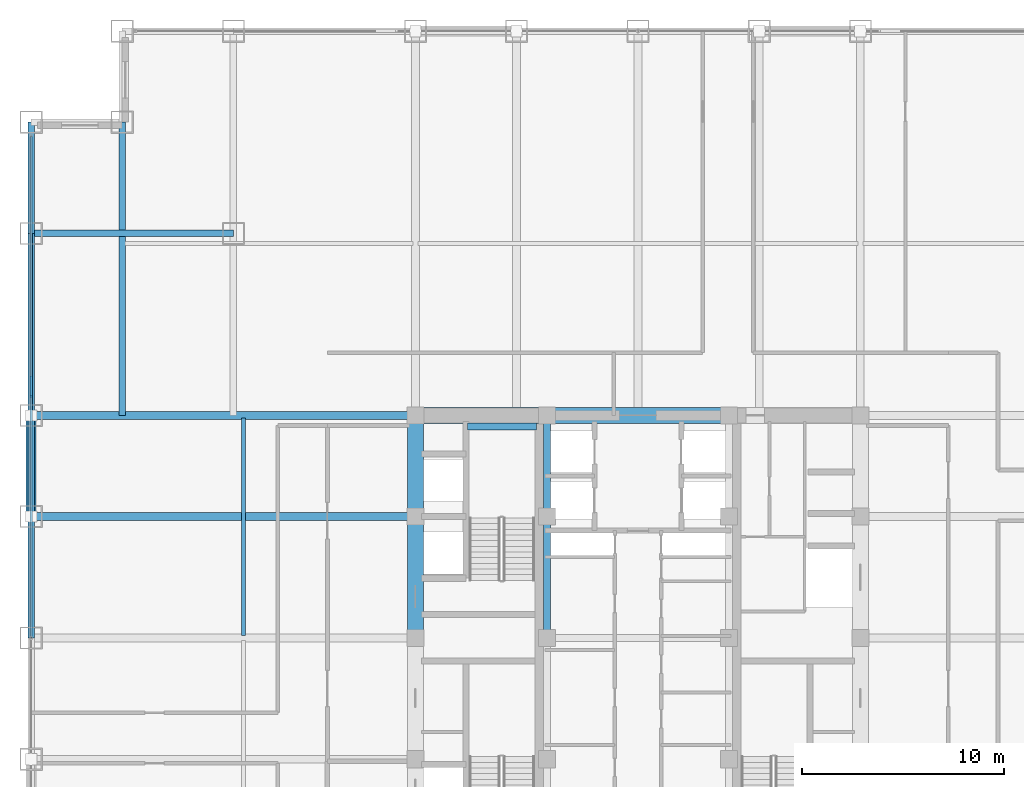
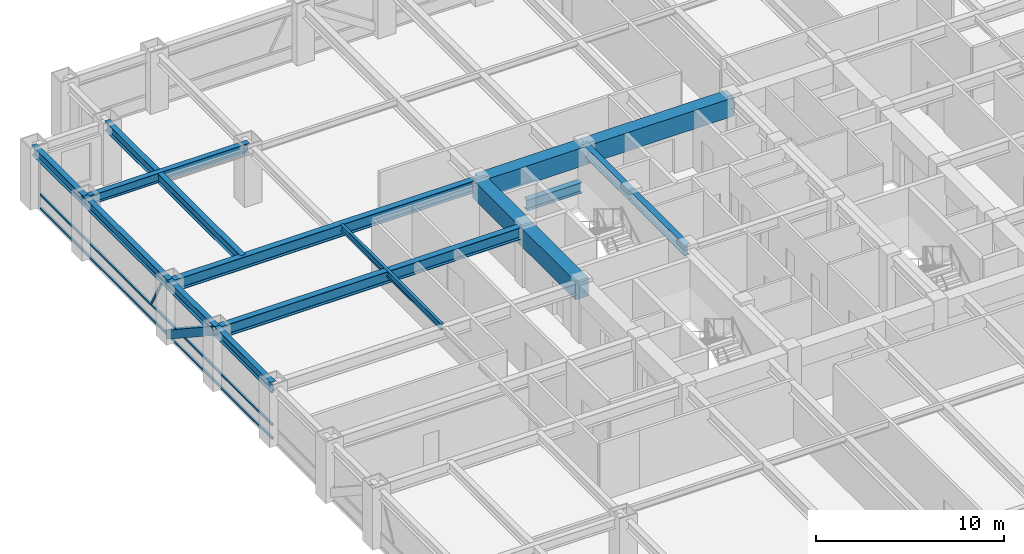
# One storey, part 11 of 24: 16 beams, 5 members, 1 element without a shape of its own.
"""IFC4 building model written with IfcOpenShell, lengths in metres."""

import ifcopenshell
import ifcopenshell.guid

model = None  # the IFC model being written
_history = None  # IfcOwnerHistory: only IFC2X3 demands one
_inside = {}  # id of a spatial element -> (the spatial element, [elements in it])
_under = {}  # id of a project, library or spatial element -> (it, [spatial elements below it])
_declared = {}  # id of a project -> (the project, [libraries it declares])
_typed = {}  # id of a type object -> (the type object, [elements of that type])
_made_of = {}  # id of a material, layer set ... -> (it, [elements and type objects made of it])


def new_model(schema):
    """Start an empty IFC model of exactly this schema.

    Asked for "IFC4X3", IfcOpenShell would pick the latest addendum, in which some entities
    have other attributes; the version numbers below select the first issue.
    IFC2X3 requires an IfcOwnerHistory on every rooted entity: one is made here for all.
    """
    global model, _history
    if schema == "IFC4X3":
        model = ifcopenshell.file(schema_version=(4, 3, 0, 0))
    else:
        model = ifcopenshell.file(schema=schema)
    _inside.clear()
    _under.clear()
    _declared.clear()
    _typed.clear()
    _made_of.clear()
    _history = None
    if model.schema == "IFC2X3":
        org = make("IfcOrganization", Name="unknown")
        user = make(
            "IfcPersonAndOrganization",
            ThePerson=make("IfcPerson", FamilyName="unknown"),
            TheOrganization=org,
        )
        app = make(
            "IfcApplication",
            ApplicationDeveloper=org,
            Version="unknown",
            ApplicationFullName="unknown",
            ApplicationIdentifier="unknown",
        )
        _history = make(
            "IfcOwnerHistory",
            OwningUser=user,
            OwningApplication=app,
            ChangeAction="ADDED",
            CreationDate=0,
        )
    return model


def make(cls, **values):
    """One entity of the class cls with the attributes given. An attribute that is None is left unset."""
    return model.create_entity(
        cls, **{name: value for name, value in values.items() if value is not None}
    )


def rooted(cls, **values):
    """An entity with a GlobalId (a new one), such as an element, a storey or a relation."""
    return make(cls, GlobalId=ifcopenshell.guid.new(), OwnerHistory=_history, **values)


def si_unit(unit_type, name, prefix=None):
    """IfcSIUnit, for example si_unit("LENGTHUNIT", "METRE", prefix="MILLI")."""
    return make("IfcSIUnit", UnitType=unit_type, Prefix=prefix, Name=name)


def assignment(units):
    """IfcUnitAssignment: the units of a project."""
    return None if units is None else make("IfcUnitAssignment", Units=units)


def point(xyz):
    """IfcCartesianPoint."""
    return None if xyz is None else make("IfcCartesianPoint", Coordinates=xyz)


def direction(xyz):
    """IfcDirection."""
    return None if xyz is None else make("IfcDirection", DirectionRatios=xyz)


def frame(location, z_axis=None, x_axis=None):
    """IfcAxis2Placement3D, a coordinate frame: its origin and axes. An axis left out is left unset."""
    return make(
        "IfcAxis2Placement3D",
        Location=point(location),
        Axis=direction(z_axis),
        RefDirection=direction(x_axis),
    )


def frame_2d(location, x_axis=None):
    """IfcAxis2Placement2D, a coordinate frame in the plane: its origin and x axis."""
    return make(
        "IfcAxis2Placement2D", Location=point(location), RefDirection=direction(x_axis)
    )


def origin():
    """The frame at (0, 0, 0) with its axes left unset."""
    return frame((0.0, 0.0, 0.0))


def origin_2d():
    """The frame at (0, 0) in the plane with its x axis left unset."""
    return frame_2d((0.0, 0.0))


def place(relative_to, where):
    """IfcLocalPlacement: puts the frame where relative to a parent placement (None: the world)."""
    return make(
        "IfcLocalPlacement", PlacementRelTo=relative_to, RelativePlacement=where
    )


def context(
    kind, dimensions, precision=None, world=None, true_north=None, identifier=None
):
    """IfcGeometricRepresentationContext, for example the 3D "Model" context."""
    return make(
        "IfcGeometricRepresentationContext",
        ContextIdentifier=identifier,
        ContextType=kind,
        CoordinateSpaceDimension=dimensions,
        Precision=precision,
        WorldCoordinateSystem=world,
        TrueNorth=true_north,
    )


def subcontext(parent, identifier, kind, view, scale=None):
    """IfcGeometricRepresentationSubContext, for example "Body" below "Model"."""
    return make(
        "IfcGeometricRepresentationSubContext",
        ContextIdentifier=identifier,
        ContextType=kind,
        ParentContext=parent,
        TargetScale=scale,
        TargetView=view,
    )


def project(units=None, contexts=None):
    """IfcProject with its units and contexts."""
    return rooted(
        "IfcProject",
        Name="project",
        RepresentationContexts=contexts,
        UnitsInContext=assignment(units),
    )


def spatial(cls, under=None, at=None, **own):
    """A site, building, storey or space (cls), placed at a placement, below another one or the project."""
    s = rooted(cls, ObjectPlacement=at, **own)
    if under is not None:
        _under.setdefault(under.id(), (under, []))[1].append(s)
    return s


def profile(cls, at=None, kind="AREA", **sizes):
    """A parametric profile (cls). Its sizes go by their IFC names, for example OverallWidth=200.0."""
    return make(cls, ProfileType=kind, Position=at, **sizes)


def rectangle(**sizes):
    """IfcRectangleProfileDef."""
    return profile("IfcRectangleProfileDef", **sizes)


def hollow_rectangle(**sizes):
    """IfcRectangleHollowProfileDef."""
    return profile("IfcRectangleHollowProfileDef", **sizes)


def i_section(**sizes):
    """IfcIShapeProfileDef."""
    return profile("IfcIShapeProfileDef", **sizes)


def extrude(swept, where, along, depth):
    """IfcExtrudedAreaSolid: the profile swept, set in the frame where, extruded along a direction by depth."""
    return make(
        "IfcExtrudedAreaSolid",
        SweptArea=swept,
        Position=where,
        ExtrudedDirection=direction(along),
        Depth=depth,
    )


def shape(context_of_items, identifier, shape_type, items):
    """IfcShapeRepresentation: the items that make up one representation, for example the "Body"."""
    return make(
        "IfcShapeRepresentation",
        ContextOfItems=context_of_items,
        RepresentationIdentifier=identifier,
        RepresentationType=shape_type,
        Items=items,
    )


def source(mapping_origin, context_of_items, identifier, shape_type, items):
    """IfcRepresentationMap: a shape defined once, which mapped items show again and again."""
    return make(
        "IfcRepresentationMap",
        MappingOrigin=mapping_origin,
        MappedRepresentation=shape(context_of_items, identifier, shape_type, items),
    )


def transform(
    local_origin,
    x_axis=None,
    y_axis=None,
    z_axis=None,
    scale=None,
    scale2=None,
    scale3=None,
    uniform=True,
):
    """IfcCartesianTransformationOperator3D, or its non-uniform kind. x_axis, y_axis, z_axis: its Axis1, 2, 3."""
    if uniform:
        return make(
            "IfcCartesianTransformationOperator3D",
            Axis1=direction(x_axis),
            Axis2=direction(y_axis),
            LocalOrigin=point(local_origin),
            Scale=scale,
            Axis3=direction(z_axis),
        )
    return make(
        "IfcCartesianTransformationOperator3DnonUniform",
        Axis1=direction(x_axis),
        Axis2=direction(y_axis),
        LocalOrigin=point(local_origin),
        Scale=scale,
        Axis3=direction(z_axis),
        Scale2=scale2,
        Scale3=scale3,
    )


def mapped(mapping_source, mapping_target):
    """IfcMappedItem: shows the shape of a source again, moved by a transform."""
    return make(
        "IfcMappedItem", MappingSource=mapping_source, MappingTarget=mapping_target
    )


def material(Name=None, Category=None):
    """IfcMaterial."""
    return make("IfcMaterial", Name=Name, Category=Category)


def material_profile(
    of_material, cross_section, Name=None, Category=None, Priority=None
):
    """IfcMaterialProfile: a cross section and its material."""
    return make(
        "IfcMaterialProfile",
        Name=Name,
        Material=of_material,
        Profile=cross_section,
        Priority=Priority,
        Category=Category,
    )


def profile_set(profiles, Name=None, composite=None):
    """IfcMaterialProfileSet."""
    return make(
        "IfcMaterialProfileSet",
        Name=Name,
        MaterialProfiles=profiles,
        CompositeProfile=composite,
    )


def made_of(thing, what):
    """Note that an element or type object is made of a material, layer set ...; save() writes the relation."""
    if what is not None:
        _made_of.setdefault(what.id(), (what, []))[1].append(thing)
    return thing


def type_object(cls, material=None, **own):
    """A type object (cls), such as IfcWallType, which elements share."""
    return made_of(rooted(cls, **own), material)


def element(
    cls,
    number,
    at=None,
    inside=None,
    cuts=None,
    type_object=None,
    material=None,
    context=None,
    identifier="Body",
    shape_type=None,
    held_by="IfcProductDefinitionShape",
    body=None,
    shapes=None,
    **own,
):
    """One element of the class cls, such as IfcWall. Its Tag is "e" and its number.

    at: its placement. inside: the storey or other place that contains it. cuts: it is an
    opening in that element (IfcRelVoidsElement). A single representation is given by context,
    identifier, shape_type and body (its items); several are given by shapes. held_by: the class
    of the entity that holds the representations. save() writes the other relations.
    """
    e = rooted(cls, Tag="e%d" % number, ObjectPlacement=at, **own)
    if body is not None:
        shapes = [shape(context, identifier, shape_type, body)]
    if shapes is not None:
        e.Representation = make(held_by, Representations=shapes)
    if inside is not None:
        _inside.setdefault(inside.id(), (inside, []))[1].append(e)
    if cuts is not None:
        rooted(
            "IfcRelVoidsElement", RelatingBuildingElement=cuts, RelatedOpeningElement=e
        )
    if type_object is not None:
        _typed.setdefault(type_object.id(), (type_object, []))[1].append(e)
    return made_of(e, material)


def aggregate(whole, parts):
    """IfcRelAggregates: a whole, such as a stair, and the parts it consists of."""
    return rooted("IfcRelAggregates", RelatingObject=whole, RelatedObjects=parts)


def save(model, path):
    """Write the relations noted so far, then the file.

    IfcRelAggregates (storeys below a building ...), IfcRelContainedInSpatialStructure (elements
    in a storey), IfcRelDefinesByType, IfcRelAssociatesMaterial and IfcRelDeclares: one each for
    every whole, place, type object, material and project.
    """
    for whole, parts in _under.values():
        aggregate(whole, parts)
    for where, things in _inside.values():
        rooted(
            "IfcRelContainedInSpatialStructure",
            RelatedElements=things,
            RelatingStructure=where,
        )
    for kind, things in _typed.values():
        rooted("IfcRelDefinesByType", RelatedObjects=things, RelatingType=kind)
    for what, things in _made_of.values():
        rooted("IfcRelAssociatesMaterial", RelatedObjects=things, RelatingMaterial=what)
    for by, libraries in _declared.values():
        rooted("IfcRelDeclares", RelatingContext=by, RelatedDefinitions=libraries)
    model.write(path)


model = new_model("IFC4")

# Units and contexts
model_context = context("Model", 3, precision=1e-05, world=origin(), true_north=direction((0.0, 1.0)))
body_context = subcontext(model_context, "Body", "Model", "MODEL_VIEW")
ifc_project = project(units=[si_unit("LENGTHUNIT", "METRE"), si_unit("AREAUNIT", "SQUARE_METRE"), si_unit("VOLUMEUNIT", "CUBIC_METRE"), si_unit("PLANEANGLEUNIT", "RADIAN"), si_unit("MASSUNIT", "GRAM", prefix="KILO")], contexts=[model_context])

# Site, building, storey
site_placement = place(None, origin())
site = spatial("IfcSite", under=ifc_project, at=site_placement, CompositionType="ELEMENT")
building_placement = place(site_placement, origin())
building = spatial("IfcBuilding", under=site, at=building_placement, Name="Khorayat Bourse Tower", CompositionType="ELEMENT")
storey_placement = place(building_placement, frame((0.0, 0.0, 167.10009765625)))
storey = spatial("IfcBuildingStorey", under=building, at=storey_placement, Name="L38", CompositionType="ELEMENT", Elevation=167.10009765625)

# Beams
ifc_material_1 = material(Name="Concrete C72/90", Category="concrete")
ifc_material_profile_1 = material_profile(ifc_material_1, rectangle(XDim=0.800048828125, YDim=1.199951171875, at=origin_2d()), Name="RC 800x1200")
ifc_profile_set_1 = profile_set([ifc_material_profile_1], Name="Concrete C72/90")
beam_type_1 = type_object("IfcBeamType", Name="BM-COUP-1200", PredefinedType="BEAM", material=ifc_profile_set_1)
shared_shape_1 = source(origin(), body_context, "Body", "SweptSolid", [
    extrude(rectangle(XDim=0.800048828125, YDim=1.199951171875, at=origin_2d()), origin(), (0.0, 0.0, 1.0), 5.0),
])
beam_1_placement = place(storey_placement, frame((-11.0, 6.0, 3.179931640625), z_axis=(0.0, 1.0, 0.0), x_axis=(-1.0, 0.0, 0.0)))
element("IfcBeam", 1, at=beam_1_placement, inside=storey, type_object=beam_type_1, Name="L38 BM-COUP-1200 BM-L38-CRX-04", PredefinedType="BEAM", context=body_context, shape_type="MappedRepresentation", body=[
    mapped(shared_shape_1, transform((0.0, 0.0, 0.0), scale=1.0)),
])
shared_shape_2 = source(origin(), body_context, "Body", "SweptSolid", [
    extrude(rectangle(XDim=0.800048828125, YDim=1.199951171875, at=origin_2d()), origin(), (0.0, 0.0, 1.0), 6.0),
])
beam_2_placement = place(storey_placement, frame((-11.0, 0.0, 3.179931640625), z_axis=(0.0, 1.0, 0.0), x_axis=(-1.0, 0.0, 0.0)))
element("IfcBeam", 2, at=beam_2_placement, inside=storey, type_object=beam_type_1, Name="L38 BM-COUP-1200 BM-L38-CRX-03", PredefinedType="BEAM", context=body_context, shape_type="MappedRepresentation", body=[
    mapped(shared_shape_2, transform((0.0, 0.0, 0.0), scale=1.0)),
])
ifc_material_2 = material(Name="Steel ASTM A992 Grade 50", Category="steel")
ifc_material_profile_2 = material_profile(ifc_material_2, i_section(OverallWidth=0.35498046875, OverallDepth=0.695068359375, WebThickness=0.015380859375, FlangeThickness=0.02490234375, FilletRadius=0.01806640625, at=origin_2d()), Name="W690X217")
ifc_profile_set_2 = profile_set([ifc_material_profile_2], Name="Steel ASTM A992 Grade 50")
beam_type_2 = type_object("IfcBeamType", Name="BM-GIRD-690", PredefinedType="BEAM", material=ifc_profile_set_2)
shared_shape_3 = source(origin(), body_context, "Body", "SweptSolid", [
    extrude(i_section(OverallWidth=0.35498046875, OverallDepth=0.695068359375, WebThickness=0.015380859375, FlangeThickness=0.02490234375, FilletRadius=0.01806640625, at=origin_2d()), origin(), (0.0, 0.0, 1.0), 5.0),
])
beam_3_placement = place(storey_placement, frame((-4.5, 6.0, 3.432373046875), z_axis=(0.0, 1.0, 0.0), x_axis=(-1.0, 0.0, 0.0)))
element("IfcBeam", 3, at=beam_3_placement, inside=storey, type_object=beam_type_2, Name="L38 BM-GIRD-690 BM-L38-CRX-08", PredefinedType="BEAM", context=body_context, shape_type="MappedRepresentation", body=[
    mapped(shared_shape_3, transform((0.0, 0.0, 0.0), scale=1.0)),
])
shared_shape_4 = source(origin(), body_context, "Body", "SweptSolid", [
    extrude(i_section(OverallWidth=0.35498046875, OverallDepth=0.695068359375, WebThickness=0.015380859375, FlangeThickness=0.02490234375, FilletRadius=0.01806640625, at=origin_2d()), origin(), (0.0, 0.0, 1.0), 6.0),
])
beam_4_placement = place(storey_placement, frame((-4.5, 0.0, 3.432373046875), z_axis=(0.0, 1.0, 0.0), x_axis=(-1.0, 0.0, 0.0)))
element("IfcBeam", 4, at=beam_4_placement, inside=storey, type_object=beam_type_2, Name="L38 BM-GIRD-690 BM-L38-CRX-07", PredefinedType="BEAM", context=body_context, shape_type="MappedRepresentation", body=[
    mapped(shared_shape_4, transform((0.0, 0.0, 0.0), scale=1.0)),
])
shared_shape_5 = source(origin(), body_context, "Body", "SweptSolid", [
    extrude(rectangle(XDim=0.800048828125, YDim=1.199951171875, at=origin_2d()), origin(), (0.0, 0.0, 1.0), 6.5),
])
beam_5_placement = place(storey_placement, frame((-11.0, 11.0, 3.179931640625), z_axis=(1.0, 0.0, 0.0), x_axis=(0.0, 1.0, 0.0)))
element("IfcBeam", 5, at=beam_5_placement, inside=storey, type_object=beam_type_1, Name="L38 BM-COUP-1200 BM-L38-CRY-20", PredefinedType="BEAM", context=body_context, shape_type="MappedRepresentation", body=[
    mapped(shared_shape_5, transform((0.0, 0.0, 0.0), scale=1.0)),
])
shared_shape_6 = source(origin(), body_context, "Body", "SweptSolid", [
    extrude(rectangle(XDim=0.800048828125, YDim=1.199951171875, at=origin_2d()), origin(), (0.0, 0.0, 1.0), 9.0),
])
beam_6_placement = place(storey_placement, frame((-4.5, 11.0, 3.179931640625), z_axis=(1.0, 0.0, 0.0), x_axis=(0.0, 1.0, 0.0)))
element("IfcBeam", 6, at=beam_6_placement, inside=storey, type_object=beam_type_1, Name="L38 BM-COUP-1200 BM-L38-CRY-21", PredefinedType="BEAM", context=body_context, shape_type="MappedRepresentation", body=[
    mapped(shared_shape_6, transform((0.0, 0.0, 0.0), scale=1.0)),
])
shared_shape_7 = source(origin(), body_context, "Body", "SweptSolid", [
    extrude(i_section(OverallWidth=0.35498046875, OverallDepth=0.695068359375, WebThickness=0.015380859375, FlangeThickness=0.02490234375, FilletRadius=0.01806640625, at=origin_2d()), origin(), (0.0, 0.0, 1.0), 3.39990234375),
])
beam_7_placement = place(storey_placement, frame((-8.419921875, 10.449951171875, 1.452392578125), z_axis=(1.0, 0.0, 0.0), x_axis=(0.0, 1.0, 0.0)))
element("IfcBeam", 7, at=beam_7_placement, inside=storey, type_object=beam_type_2, Name="L38 BM-GIRD-690 BM-L38-ST2L", PredefinedType="BEAM", context=body_context, shape_type="MappedRepresentation", body=[
    mapped(shared_shape_7, transform((0.0, 0.0, 0.0), scale=1.0)),
])
ifc_material_profile_3 = material_profile(ifc_material_2, i_section(OverallWidth=0.381103515625, OverallDepth=0.77294921875, WebThickness=0.0166015625, FlangeThickness=0.027587890625, FilletRadius=0.01806640625, at=origin_2d()), Name="W760X257")
ifc_profile_set_3 = profile_set([ifc_material_profile_3], Name="Steel ASTM A992 Grade 50")
beam_type_3 = type_object("IfcBeamType", Name="BM-GIRD-760", PredefinedType="BEAM", material=ifc_profile_set_3)
shared_shape_8 = source(origin(), body_context, "Body", "SweptSolid", [
    extrude(i_section(OverallWidth=0.381103515625, OverallDepth=0.77294921875, WebThickness=0.0166015625, FlangeThickness=0.027587890625, FilletRadius=0.01806640625, at=origin_2d()), origin(), (0.0, 0.0, 1.0), 19.0),
])
for number, where, z_axis, x_axis, name in (
    (8, (-30.0, 6.0, 3.393310546875), (1.0, 0.0, 0.0), (0.0, 1.0, 0.0), "L38 BM-GIRD-760 BM-L38-RADX-081"),
    (9, (-30.0, 11.0, 3.393310546875), (1.0, 0.0, 0.0), (0.0, 1.0, 0.0), "L38 BM-GIRD-760 BM-L38-RADX-083"),
):
    element("IfcBeam", number, at=place(storey_placement, frame(where, z_axis=z_axis, x_axis=x_axis)), inside=storey, type_object=beam_type_3, Name=name, PredefinedType="BEAM", context=body_context, shape_type="MappedRepresentation", body=[
        mapped(shared_shape_8, transform((0.0, 0.0, 0.0), scale=1.0)),
    ])
ifc_material_profile_4 = material_profile(ifc_material_2, i_section(OverallWidth=0.324951171875, OverallDepth=0.615966796875, WebThickness=0.013916015625, FlangeThickness=0.021484375, FilletRadius=0.01611328125, at=origin_2d()), Name="W610X174")
ifc_profile_set_4 = profile_set([ifc_material_profile_4], Name="Steel ASTM A992 Grade 50")
beam_type_4 = type_object("IfcBeamType", Name="BM-GIRD-610", PredefinedType="BEAM", material=ifc_profile_set_4)
shared_shape_9 = source(origin(), body_context, "Body", "SweptSolid", [
    extrude(i_section(OverallWidth=0.324951171875, OverallDepth=0.615966796875, WebThickness=0.013916015625, FlangeThickness=0.021484375, FilletRadius=0.01611328125, at=origin_2d()), origin(), (0.0, 0.0, 1.0), 14.5),
])
beam_8_placement = place(storey_placement, frame((-25.5, 11.0, 3.471923828125), z_axis=(0.0, 1.0, 0.0), x_axis=(-1.0, 0.0, 0.0)))
element("IfcBeam", 10, at=beam_8_placement, inside=storey, type_object=beam_type_4, Name="L38 BM-GIRD-610 BM-L38-CNRY-089", PredefinedType="BEAM", context=body_context, shape_type="MappedRepresentation", body=[
    mapped(shared_shape_9, transform((0.0, 0.0, 0.0), scale=1.0)),
])
shared_shape_10 = source(origin(), body_context, "Body", "SweptSolid", [
    extrude(i_section(OverallWidth=0.324951171875, OverallDepth=0.615966796875, WebThickness=0.013916015625, FlangeThickness=0.021484375, FilletRadius=0.01611328125, at=origin_2d()), origin(), (0.0, 0.0, 1.0), 10.0),
])
beam_9_placement = place(storey_placement, frame((-30.0, 20.0, 3.471923828125), z_axis=(1.0, 0.0, 0.0), x_axis=(0.0, 1.0, 0.0)))
element("IfcBeam", 11, at=beam_9_placement, inside=storey, type_object=beam_type_4, Name="L38 BM-GIRD-610 BM-L38-CNRX-095", PredefinedType="BEAM", context=body_context, shape_type="MappedRepresentation", body=[
    mapped(shared_shape_10, transform((0.0, 0.0, 0.0), scale=1.0)),
])
ifc_material_profile_5 = material_profile(ifc_material_2, i_section(OverallWidth=0.180908203125, OverallDepth=0.4169921875, WebThickness=0.010986328125, FlangeThickness=0.018310546875, FilletRadius=0.011962890625, at=origin_2d()), Name="W410X85")
ifc_profile_set_5 = profile_set([ifc_material_profile_5], Name="Steel ASTM A992 Grade 50")
beam_type_5 = type_object("IfcBeamType", Name="BM-JOIST-410", PredefinedType="JOIST", material=ifc_profile_set_5)
shared_shape_11 = source(origin(), body_context, "Body", "SweptSolid", [
    extrude(i_section(OverallWidth=0.180908203125, OverallDepth=0.4169921875, WebThickness=0.010986328125, FlangeThickness=0.018310546875, FilletRadius=0.011962890625, at=origin_2d()), origin(), (0.0, 0.0, 1.0), 10.740234375),
])
beam_10_placement = place(storey_placement, frame((-19.5, 0.1298828125, 3.5712890625), z_axis=(0.0, 1.0, 0.0), x_axis=(-1.0, 0.0, 0.0)))
element("IfcBeam", 12, at=beam_10_placement, inside=storey, type_object=beam_type_5, Name="L38 BM-JOIST-410 BM-L38-JSTY-103", PredefinedType="JOIST", context=body_context, shape_type="MappedRepresentation", body=[
    mapped(shared_shape_11, transform((0.0, 0.0, 0.0), scale=1.0)),
])
ifc_material_profile_6 = material_profile(ifc_material_2, i_section(OverallWidth=0.324951171875, OverallDepth=0.615966796875, WebThickness=0.013916015625, FlangeThickness=0.021484375, FilletRadius=0.01611328125, at=origin_2d()), Name="W610X174")
ifc_profile_set_6 = profile_set([ifc_material_profile_6], Name="Steel ASTM A992 Grade 50")
beam_type_6 = type_object("IfcBeamType", Name="BM-SPAN-610", PredefinedType="SPANDREL", material=ifc_profile_set_6)
shared_shape_12 = source(origin(), body_context, "Body", "SweptSolid", [
    extrude(i_section(OverallWidth=0.324951171875, OverallDepth=0.615966796875, WebThickness=0.013916015625, FlangeThickness=0.021484375, FilletRadius=0.01611328125, at=origin_2d()), origin(), (0.0, 0.0, 1.0), 5.5),
])
beam_11_placement = place(storey_placement, frame((-30.0, 20.0, 3.471923828125), z_axis=(0.0, 1.0, 0.0), x_axis=(-1.0, 0.0, 0.0)))
element("IfcBeam", 13, at=beam_11_placement, inside=storey, type_object=beam_type_6, Name="L38 BM-SPAN-610 BM-L38-SPN-054", PredefinedType="SPANDREL", context=body_context, shape_type="MappedRepresentation", body=[
    mapped(shared_shape_12, transform((0.0, 0.0, 0.0), scale=1.0)),
])
shared_shape_13 = source(origin(), body_context, "Body", "SweptSolid", [
    extrude(i_section(OverallWidth=0.324951171875, OverallDepth=0.615966796875, WebThickness=0.013916015625, FlangeThickness=0.021484375, FilletRadius=0.01611328125, at=origin_2d()), origin(), (0.0, 0.0, 1.0), 9.0),
])
beam_12_placement = place(storey_placement, frame((-30.0, 11.0, 3.471923828125), z_axis=(0.0, 1.0, 0.0), x_axis=(-1.0, 0.0, 0.0)))
element("IfcBeam", 14, at=beam_12_placement, inside=storey, type_object=beam_type_6, Name="L38 BM-SPAN-610 BM-L38-SPN-055", PredefinedType="SPANDREL", context=body_context, shape_type="MappedRepresentation", body=[
    mapped(shared_shape_13, transform((0.0, 0.0, 0.0), scale=1.0)),
])
shared_shape_14 = source(origin(), body_context, "Body", "SweptSolid", [
    extrude(i_section(OverallWidth=0.324951171875, OverallDepth=0.615966796875, WebThickness=0.013916015625, FlangeThickness=0.021484375, FilletRadius=0.01611328125, at=origin_2d()), origin(), (0.0, 0.0, 1.0), 5.0),
])
beam_13_placement = place(storey_placement, frame((-30.0, 6.0, 3.471923828125), z_axis=(0.0, 1.0, 0.0), x_axis=(-1.0, 0.0, 0.0)))
element("IfcBeam", 15, at=beam_13_placement, inside=storey, type_object=beam_type_6, Name="L38 BM-SPAN-610 BM-L38-SPN-056", PredefinedType="SPANDREL", context=body_context, shape_type="MappedRepresentation", body=[
    mapped(shared_shape_14, transform((0.0, 0.0, 0.0), scale=1.0)),
])
shared_shape_15 = source(origin(), body_context, "Body", "SweptSolid", [
    extrude(i_section(OverallWidth=0.324951171875, OverallDepth=0.615966796875, WebThickness=0.013916015625, FlangeThickness=0.021484375, FilletRadius=0.01611328125, at=origin_2d()), origin(), (0.0, 0.0, 1.0), 6.0),
])
beam_14_placement = place(storey_placement, frame((-30.0, 0.0, 3.471923828125), z_axis=(0.0, 1.0, 0.0), x_axis=(-1.0, 0.0, 0.0)))
element("IfcBeam", 16, at=beam_14_placement, inside=storey, type_object=beam_type_6, Name="L38 BM-SPAN-610 BM-L38-SPN-057", PredefinedType="SPANDREL", context=body_context, shape_type="MappedRepresentation", body=[
    mapped(shared_shape_15, transform((0.0, 0.0, 0.0), scale=1.0)),
])

# Member
ifc_material_3 = material(Name="Steel EN 10025-4 S460M", Category="steel")
ifc_material_profile_7 = material_profile(ifc_material_3, hollow_rectangle(XDim=0.5, YDim=0.5, WallThickness=0.028076171875, at=origin_2d()), Name="HSS 500x500x28")
ifc_profile_set_7 = profile_set([ifc_material_profile_7], Name="Steel EN 10025-4 S460M")
member_type_1 = type_object("IfcMemberType", Name="MBR-TUBE-500", PredefinedType="BRACE", material=ifc_profile_set_7)
shared_shape_16 = source(origin(), body_context, "Body", "SweptSolid", [
    extrude(hollow_rectangle(XDim=0.5, YDim=0.5, WallThickness=0.028076171875, at=origin_2d()), origin(), (0.0, 0.0, 1.0), 5.979736328125),
])
member_1_placement = place(storey_placement, frame((-30.0, 6.0, 3.52978515625), z_axis=(0.0, 0.836160261256, -0.548485202623), x_axis=(-1.0, 0.0, 0.0)))
element("IfcMember", 17, at=member_1_placement, inside=storey, type_object=member_type_1, Name="L38 Perimeter Tube Brace 06", PredefinedType="BRACE", context=body_context, shape_type="MappedRepresentation", body=[
    mapped(shared_shape_16, transform((0.0, 0.0, 0.0), scale=1.0)),
])

# Curtain wall, members
ifc_material_4 = material(Name="Aluminium EN AW-6063 T6", Category="aluminium")
curtain_wall_type = type_object("IfcCurtainWallType", Name="CW-SYS-03", PredefinedType="NOTDEFINED", material=ifc_material_4)
curtain_wall_placement = place(storey_placement, origin())
curtain_wall = element("IfcCurtainWall", 18, at=curtain_wall_placement, inside=storey, type_object=curtain_wall_type, Name="L38 Curtain Wall CW-L38-W1", PredefinedType="NOTDEFINED")
ifc_material_profile_8 = material_profile(ifc_material_4, hollow_rectangle(XDim=0.1201171875, YDim=0.1201171875, WallThickness=0.0048828125, at=origin_2d()), Name="ALU 120x120x5")
ifc_profile_set_8 = profile_set([ifc_material_profile_8], Name="Aluminium EN AW-6063 T6")
member_type_2 = type_object("IfcMemberType", Name="CWM-DIAG-120", PredefinedType="MULLION", material=ifc_profile_set_8)
shared_shape_17 = source(origin(), body_context, "Body", "SweptSolid", [
    extrude(hollow_rectangle(XDim=0.1201171875, YDim=0.1201171875, WallThickness=0.0048828125, at=origin_2d()), origin(), (0.0, 0.0, 1.0), 2.079345703125),
])
member_2_placement = place(storey_placement, frame((-30.0, 12.904296875, 1.08984375), z_axis=(0.0, -0.465760949701, 0.884910581773), x_axis=(1.0, 0.0, 0.0)))
member_2 = element("IfcMember", 19, at=member_2_placement, type_object=member_type_2, Name="CW-L38-W1 Faceted Diagonal Mullion 2", PredefinedType="MULLION", context=body_context, shape_type="MappedRepresentation", body=[
    mapped(shared_shape_17, transform((0.0, 0.0, 0.0), scale=1.0)),
])
ifc_material_profile_9 = material_profile(ifc_material_4, hollow_rectangle(XDim=0.1201171875, YDim=0.1201171875, WallThickness=0.0048828125, at=origin_2d()), Name="ALU 120x120x5")
ifc_profile_set_9 = profile_set([ifc_material_profile_9], Name="Aluminium EN AW-6063 T6")
member_type_3 = type_object("IfcMemberType", Name="CWT-HORZ-120", PredefinedType="USERDEFINED", material=ifc_profile_set_9)
shared_shape_18 = source(origin(), body_context, "Body", "SweptSolid", [
    extrude(hollow_rectangle(XDim=0.1201171875, YDim=0.1201171875, WallThickness=0.0048828125, at=origin_2d()), origin(), (0.0, 0.0, 1.0), 24.719970703125),
])
member_3_placement = place(storey_placement, frame((-30.0, 0.06005859375, 0.059814453125), z_axis=(0.0, 1.0, 0.0), x_axis=(-1.0, 0.0, 0.0)))
member_3 = element("IfcMember", 20, at=member_3_placement, type_object=member_type_3, Name="CW-L38-W1 Horizontal Transom 2-1", ObjectType="TRANSOM", PredefinedType="USERDEFINED", context=body_context, shape_type="MappedRepresentation", body=[
    mapped(shared_shape_18, transform((0.0, 0.0, 0.0), scale=1.0)),
])
member_4_placement = place(storey_placement, frame((-30.0, 0.06005859375, 0.949951171875), z_axis=(0.0, 1.0, 0.0), x_axis=(-1.0, 0.0, 0.0)))
member_4 = element("IfcMember", 21, at=member_4_placement, type_object=member_type_3, Name="CW-L38-W1 Horizontal Transom 2-2", ObjectType="TRANSOM", PredefinedType="USERDEFINED", context=body_context, shape_type="MappedRepresentation", body=[
    mapped(shared_shape_18, transform((0.0, 0.0, 0.0), scale=1.0)),
])
member_5_placement = place(storey_placement, frame((-30.0, 0.06005859375, 3.06982421875), z_axis=(0.0, 1.0, 0.0), x_axis=(-1.0, 0.0, 0.0)))
member_5 = element("IfcMember", 22, at=member_5_placement, type_object=member_type_3, Name="CW-L38-W1 Horizontal Transom 2-3", ObjectType="TRANSOM", PredefinedType="USERDEFINED", context=body_context, shape_type="MappedRepresentation", body=[
    mapped(shared_shape_18, transform((0.0, 0.0, 0.0), scale=1.0)),
])
aggregate(curtain_wall, [member_3, member_4, member_5, member_2])

save(model, "model.ifc")
